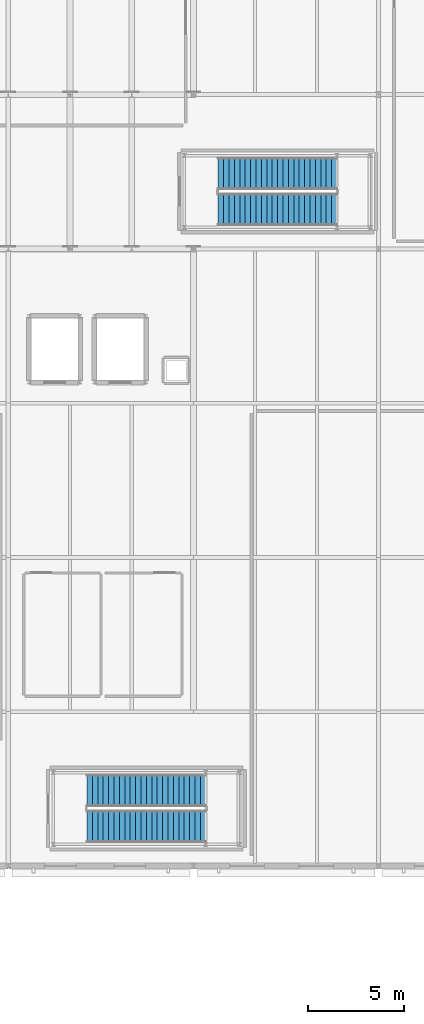
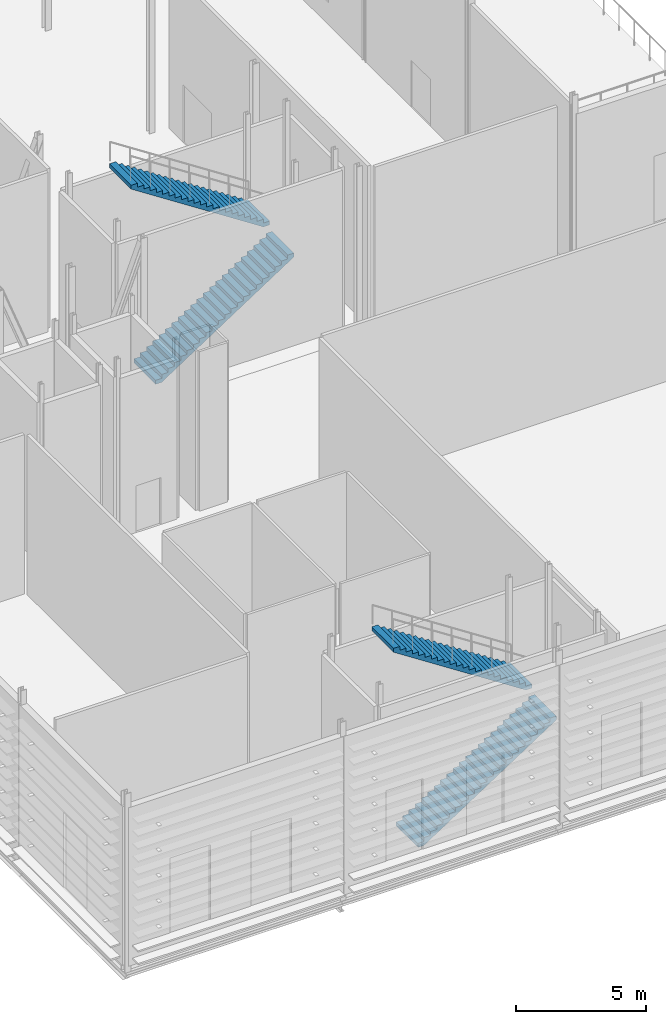
# One storey, part 69 of 73: 4 stair flights, 2 elements without a shape of their own.
"""IFC4 building model written with IfcOpenShell, lengths in metres."""

import ifcopenshell
import ifcopenshell.guid

model = None  # the IFC model being written
_history = None  # IfcOwnerHistory: only IFC2X3 demands one
_inside = {}  # id of a spatial element -> (the spatial element, [elements in it])
_under = {}  # id of a project, library or spatial element -> (it, [spatial elements below it])
_declared = {}  # id of a project -> (the project, [libraries it declares])
_typed = {}  # id of a type object -> (the type object, [elements of that type])
_made_of = {}  # id of a material, layer set ... -> (it, [elements and type objects made of it])


def new_model(schema):
    """Start an empty IFC model of exactly this schema.

    Asked for "IFC4X3", IfcOpenShell would pick the latest addendum, in which some entities
    have other attributes; the version numbers below select the first issue.
    IFC2X3 requires an IfcOwnerHistory on every rooted entity: one is made here for all.
    """
    global model, _history
    if schema == "IFC4X3":
        model = ifcopenshell.file(schema_version=(4, 3, 0, 0))
    else:
        model = ifcopenshell.file(schema=schema)
    _inside.clear()
    _under.clear()
    _declared.clear()
    _typed.clear()
    _made_of.clear()
    _history = None
    if model.schema == "IFC2X3":
        org = make("IfcOrganization", Name="unknown")
        user = make(
            "IfcPersonAndOrganization",
            ThePerson=make("IfcPerson", FamilyName="unknown"),
            TheOrganization=org,
        )
        app = make(
            "IfcApplication",
            ApplicationDeveloper=org,
            Version="unknown",
            ApplicationFullName="unknown",
            ApplicationIdentifier="unknown",
        )
        _history = make(
            "IfcOwnerHistory",
            OwningUser=user,
            OwningApplication=app,
            ChangeAction="ADDED",
            CreationDate=0,
        )
    return model


def make(cls, **values):
    """One entity of the class cls with the attributes given. An attribute that is None is left unset."""
    return model.create_entity(
        cls, **{name: value for name, value in values.items() if value is not None}
    )


def rooted(cls, **values):
    """An entity with a GlobalId (a new one), such as an element, a storey or a relation."""
    return make(cls, GlobalId=ifcopenshell.guid.new(), OwnerHistory=_history, **values)


def si_unit(unit_type, name, prefix=None):
    """IfcSIUnit, for example si_unit("LENGTHUNIT", "METRE", prefix="MILLI")."""
    return make("IfcSIUnit", UnitType=unit_type, Prefix=prefix, Name=name)


def assignment(units):
    """IfcUnitAssignment: the units of a project."""
    return None if units is None else make("IfcUnitAssignment", Units=units)


def point(xyz):
    """IfcCartesianPoint."""
    return None if xyz is None else make("IfcCartesianPoint", Coordinates=xyz)


def direction(xyz):
    """IfcDirection."""
    return None if xyz is None else make("IfcDirection", DirectionRatios=xyz)


def frame(location, z_axis=None, x_axis=None):
    """IfcAxis2Placement3D, a coordinate frame: its origin and axes. An axis left out is left unset."""
    return make(
        "IfcAxis2Placement3D",
        Location=point(location),
        Axis=direction(z_axis),
        RefDirection=direction(x_axis),
    )


def origin():
    """The frame at (0, 0, 0) with its axes left unset."""
    return frame((0.0, 0.0, 0.0))


def place(relative_to, where):
    """IfcLocalPlacement: puts the frame where relative to a parent placement (None: the world)."""
    return make(
        "IfcLocalPlacement", PlacementRelTo=relative_to, RelativePlacement=where
    )


def context(
    kind, dimensions, precision=None, world=None, true_north=None, identifier=None
):
    """IfcGeometricRepresentationContext, for example the 3D "Model" context."""
    return make(
        "IfcGeometricRepresentationContext",
        ContextIdentifier=identifier,
        ContextType=kind,
        CoordinateSpaceDimension=dimensions,
        Precision=precision,
        WorldCoordinateSystem=world,
        TrueNorth=true_north,
    )


def subcontext(parent, identifier, kind, view, scale=None):
    """IfcGeometricRepresentationSubContext, for example "Body" below "Model"."""
    return make(
        "IfcGeometricRepresentationSubContext",
        ContextIdentifier=identifier,
        ContextType=kind,
        ParentContext=parent,
        TargetScale=scale,
        TargetView=view,
    )


def project(units=None, contexts=None):
    """IfcProject with its units and contexts."""
    return rooted(
        "IfcProject",
        Name="project",
        RepresentationContexts=contexts,
        UnitsInContext=assignment(units),
    )


def spatial(cls, under=None, at=None, **own):
    """A site, building, storey or space (cls), placed at a placement, below another one or the project."""
    s = rooted(cls, ObjectPlacement=at, **own)
    if under is not None:
        _under.setdefault(under.id(), (under, []))[1].append(s)
    return s


def polyline(points):
    """IfcPolyline through the points."""
    return make("IfcPolyline", Points=[point(p) for p in points])


def outline(outer, holes=None, kind="AREA"):
    """IfcArbitraryClosedProfileDef: a profile drawn as a closed curve; with holes, ...WithVoids."""
    if holes is None:
        return make("IfcArbitraryClosedProfileDef", ProfileType=kind, OuterCurve=outer)
    return make(
        "IfcArbitraryProfileDefWithVoids",
        ProfileType=kind,
        OuterCurve=outer,
        InnerCurves=holes,
    )


def extrude(swept, where, along, depth):
    """IfcExtrudedAreaSolid: the profile swept, set in the frame where, extruded along a direction by depth."""
    return make(
        "IfcExtrudedAreaSolid",
        SweptArea=swept,
        Position=where,
        ExtrudedDirection=direction(along),
        Depth=depth,
    )


def shape(context_of_items, identifier, shape_type, items):
    """IfcShapeRepresentation: the items that make up one representation, for example the "Body"."""
    return make(
        "IfcShapeRepresentation",
        ContextOfItems=context_of_items,
        RepresentationIdentifier=identifier,
        RepresentationType=shape_type,
        Items=items,
    )


def material(Name=None, Category=None):
    """IfcMaterial."""
    return make("IfcMaterial", Name=Name, Category=Category)


def made_of(thing, what):
    """Note that an element or type object is made of a material, layer set ...; save() writes the relation."""
    if what is not None:
        _made_of.setdefault(what.id(), (what, []))[1].append(thing)
    return thing


def type_object(cls, material=None, **own):
    """A type object (cls), such as IfcWallType, which elements share."""
    return made_of(rooted(cls, **own), material)


def element(
    cls,
    number,
    at=None,
    inside=None,
    cuts=None,
    type_object=None,
    material=None,
    context=None,
    identifier="Body",
    shape_type=None,
    held_by="IfcProductDefinitionShape",
    body=None,
    shapes=None,
    **own,
):
    """One element of the class cls, such as IfcWall. Its Tag is "e" and its number.

    at: its placement. inside: the storey or other place that contains it. cuts: it is an
    opening in that element (IfcRelVoidsElement). A single representation is given by context,
    identifier, shape_type and body (its items); several are given by shapes. held_by: the class
    of the entity that holds the representations. save() writes the other relations.
    """
    e = rooted(cls, Tag="e%d" % number, ObjectPlacement=at, **own)
    if body is not None:
        shapes = [shape(context, identifier, shape_type, body)]
    if shapes is not None:
        e.Representation = make(held_by, Representations=shapes)
    if inside is not None:
        _inside.setdefault(inside.id(), (inside, []))[1].append(e)
    if cuts is not None:
        rooted(
            "IfcRelVoidsElement", RelatingBuildingElement=cuts, RelatedOpeningElement=e
        )
    if type_object is not None:
        _typed.setdefault(type_object.id(), (type_object, []))[1].append(e)
    return made_of(e, material)


def aggregate(whole, parts):
    """IfcRelAggregates: a whole, such as a stair, and the parts it consists of."""
    return rooted("IfcRelAggregates", RelatingObject=whole, RelatedObjects=parts)


def save(model, path):
    """Write the relations noted so far, then the file.

    IfcRelAggregates (storeys below a building ...), IfcRelContainedInSpatialStructure (elements
    in a storey), IfcRelDefinesByType, IfcRelAssociatesMaterial and IfcRelDeclares: one each for
    every whole, place, type object, material and project.
    """
    for whole, parts in _under.values():
        aggregate(whole, parts)
    for where, things in _inside.values():
        rooted(
            "IfcRelContainedInSpatialStructure",
            RelatedElements=things,
            RelatingStructure=where,
        )
    for kind, things in _typed.values():
        rooted("IfcRelDefinesByType", RelatedObjects=things, RelatingType=kind)
    for what, things in _made_of.values():
        rooted("IfcRelAssociatesMaterial", RelatedObjects=things, RelatingMaterial=what)
    for by, libraries in _declared.values():
        rooted("IfcRelDeclares", RelatingContext=by, RelatedDefinitions=libraries)
    model.write(path)


model = new_model("IFC4")

# Units and contexts
model_context = context("Model", 3, precision=1e-05, world=origin(), true_north=direction((0.0, 1.0)))
body_context = subcontext(model_context, "Body", "Model", "MODEL_VIEW")
ifc_project = project(units=[si_unit("LENGTHUNIT", "METRE"), si_unit("AREAUNIT", "SQUARE_METRE"), si_unit("VOLUMEUNIT", "CUBIC_METRE"), si_unit("PLANEANGLEUNIT", "RADIAN"), si_unit("MASSUNIT", "GRAM", prefix="KILO")], contexts=[model_context])

# Site, building, storey
site_placement = place(None, origin())
site = spatial("IfcSite", under=ifc_project, at=site_placement, CompositionType="ELEMENT")
building_placement = place(site_placement, origin())
building = spatial("IfcBuilding", under=site, at=building_placement, Name="Alderhovde Museum", CompositionType="ELEMENT")
storey_placement = place(building_placement, frame((0.0, 0.0, 17.39990234375)))
storey = spatial("IfcBuildingStorey", under=building, at=storey_placement, Name="L04", CompositionType="ELEMENT", Elevation=17.39990234375)

# Stair, stair flights
ifc_material_1 = material(Name="Concrete C35/45", Category="concrete")
stair_type = type_object("IfcStairType", Name="STR-1500-8400", PredefinedType="HALF_TURN_STAIR", material=ifc_material_1)
stair_1_placement = place(storey_placement, origin())
stair_1 = element("IfcStair", 1, at=stair_1_placement, inside=storey, type_object=stair_type, Name="L04 Escape Stair ST1", PredefinedType="HALF_TURN_STAIR")
ifc_material_2 = material(Name="Concrete C35/45", Category="concrete")
stair_flight_type = type_object("IfcStairFlightType", Name="STF-1500-8400", PredefinedType="STRAIGHT", material=ifc_material_2)
stair_flight_1_placement = place(storey_placement, frame((23.280029296875, 50.0400390625, 0.0), z_axis=(0.0, 0.0, 1.0), x_axis=(1.0, 0.0, 0.0)))
stair_flight_1 = element("IfcStairFlight", 2, at=stair_flight_1_placement, type_object=stair_flight_type, Name="ST1 flight 1", NumberOfRisers=23, NumberOfTreads=22, PredefinedType="STRAIGHT", RiserHeight=0.182608696, TreadLength=0.28, context=body_context, shape_type="SweptSolid", body=[
    extrude(outline(polyline([(0.0, 0.0), (0.0, 0.1826171875), (0.280029296875, 0.1826171875), (0.280029296875, 0.365234375), (0.56005859375, 0.365234375), (0.56005859375, 0.5478515625), (0.840087890625, 0.5478515625), (0.840087890625, 0.73046875), (1.1201171875, 0.73046875), (1.1201171875, 0.9130859375), (1.39990234375, 0.9130859375), (1.39990234375, 1.095703125), (1.679931640625, 1.095703125), (1.679931640625, 1.2783203125), (1.9599609375, 1.2783203125), (1.9599609375, 1.4609375), (2.239990234375, 1.4609375), (2.239990234375, 1.6435546875), (2.52001953125, 1.6435546875), (2.52001953125, 1.826171875), (2.800048828125, 1.826171875), (2.800048828125, 2.0087890625), (3.080078125, 2.0087890625), (3.080078125, 2.19140625), (3.360107421875, 2.19140625), (3.360107421875, 2.3740234375), (3.639892578125, 2.3740234375), (3.639892578125, 2.556640625), (3.919921875, 2.556640625), (3.919921875, 2.739013671875), (4.199951171875, 2.739013671875), (4.199951171875, 2.921630859375), (4.47998046875, 2.921630859375), (4.47998046875, 3.104248046875), (4.760009765625, 3.104248046875), (4.760009765625, 3.286865234375), (5.0400390625, 3.286865234375), (5.0400390625, 3.469482421875), (5.320068359375, 3.469482421875), (5.320068359375, 3.652099609375), (5.60009765625, 3.652099609375), (5.60009765625, 3.834716796875), (5.8798828125, 3.834716796875), (5.8798828125, 4.017333984375), (6.159912109375, 4.017333984375), (6.159912109375, 4.199951171875), (6.159912109375, 3.83837890625), (0.2744140625, 0.0), (0.0, 0.0)])), frame((0.0, 0.83984375, 0.0), z_axis=(0.0, -1.0, 0.0), x_axis=(1.0, 0.0, 0.0)), (0.0, 0.0, 1.0), 1.679931640625),
])
stair_flight_2_placement = place(storey_placement, frame((29.43994140625, 51.919921875, 4.2001953125), z_axis=(0.0, 0.0, 1.0), x_axis=(-1.0, 0.0, 0.0)))
stair_flight_2 = element("IfcStairFlight", 3, at=stair_flight_2_placement, type_object=stair_flight_type, Name="ST1 flight 2", NumberOfRisers=23, NumberOfTreads=22, PredefinedType="STRAIGHT", RiserHeight=0.182608696, TreadLength=0.28, context=body_context, shape_type="SweptSolid", body=[
    extrude(outline(polyline([(0.0, 0.0), (0.0, 0.1826171875), (0.280029296875, 0.1826171875), (0.280029296875, 0.365234375), (0.56005859375, 0.365234375), (0.56005859375, 0.5478515625), (0.840087890625, 0.5478515625), (0.840087890625, 0.73046875), (1.1201171875, 0.73046875), (1.1201171875, 0.9130859375), (1.39990234375, 0.9130859375), (1.39990234375, 1.095703125), (1.679931640625, 1.095703125), (1.679931640625, 1.2783203125), (1.9599609375, 1.2783203125), (1.9599609375, 1.4609375), (2.239990234375, 1.4609375), (2.239990234375, 1.6435546875), (2.52001953125, 1.6435546875), (2.52001953125, 1.826171875), (2.800048828125, 1.826171875), (2.800048828125, 2.0087890625), (3.080078125, 2.0087890625), (3.080078125, 2.19140625), (3.360107421875, 2.19140625), (3.360107421875, 2.3740234375), (3.639892578125, 2.3740234375), (3.639892578125, 2.556640625), (3.919921875, 2.556640625), (3.919921875, 2.739013671875), (4.199951171875, 2.739013671875), (4.199951171875, 2.921630859375), (4.47998046875, 2.921630859375), (4.47998046875, 3.104248046875), (4.760009765625, 3.104248046875), (4.760009765625, 3.286865234375), (5.0400390625, 3.286865234375), (5.0400390625, 3.469482421875), (5.320068359375, 3.469482421875), (5.320068359375, 3.652099609375), (5.60009765625, 3.652099609375), (5.60009765625, 3.834716796875), (5.8798828125, 3.834716796875), (5.8798828125, 4.017333984375), (6.159912109375, 4.017333984375), (6.159912109375, 4.199951171875), (6.159912109375, 3.83837890625), (0.2744140625, 0.0), (0.0, 0.0)])), frame((0.0, 0.83984375, 0.0), z_axis=(0.0, -1.0, 0.0), x_axis=(1.0, 0.0, 0.0)), (0.0, 0.0, 1.0), 1.679931640625),
])
aggregate(stair_1, [stair_flight_1, stair_flight_2])

stair_2_placement = place(storey_placement, origin())
stair_2 = element("IfcStair", 4, at=stair_2_placement, inside=storey, type_object=stair_type, Name="L04 Escape Stair ST2", PredefinedType="HALF_TURN_STAIR")
stair_flight_3_placement = place(storey_placement, frame((30.080078125, 82.0400390625, 0.0), z_axis=(0.0, 0.0, 1.0), x_axis=(1.0, 0.0, 0.0)))
stair_flight_3 = element("IfcStairFlight", 5, at=stair_flight_3_placement, type_object=stair_flight_type, Name="ST2 flight 1", NumberOfRisers=23, NumberOfTreads=22, PredefinedType="STRAIGHT", RiserHeight=0.182608696, TreadLength=0.28, context=body_context, shape_type="SweptSolid", body=[
    extrude(outline(polyline([(0.0, 0.0), (0.0, 0.1826171875), (0.280029296875, 0.1826171875), (0.280029296875, 0.365234375), (0.56005859375, 0.365234375), (0.56005859375, 0.5478515625), (0.840087890625, 0.5478515625), (0.840087890625, 0.73046875), (1.1201171875, 0.73046875), (1.1201171875, 0.9130859375), (1.39990234375, 0.9130859375), (1.39990234375, 1.095703125), (1.679931640625, 1.095703125), (1.679931640625, 1.2783203125), (1.9599609375, 1.2783203125), (1.9599609375, 1.4609375), (2.239990234375, 1.4609375), (2.239990234375, 1.6435546875), (2.52001953125, 1.6435546875), (2.52001953125, 1.826171875), (2.800048828125, 1.826171875), (2.800048828125, 2.0087890625), (3.080078125, 2.0087890625), (3.080078125, 2.19140625), (3.360107421875, 2.19140625), (3.360107421875, 2.3740234375), (3.639892578125, 2.3740234375), (3.639892578125, 2.556640625), (3.919921875, 2.556640625), (3.919921875, 2.739013671875), (4.199951171875, 2.739013671875), (4.199951171875, 2.921630859375), (4.47998046875, 2.921630859375), (4.47998046875, 3.104248046875), (4.760009765625, 3.104248046875), (4.760009765625, 3.286865234375), (5.0400390625, 3.286865234375), (5.0400390625, 3.469482421875), (5.320068359375, 3.469482421875), (5.320068359375, 3.652099609375), (5.60009765625, 3.652099609375), (5.60009765625, 3.834716796875), (5.8798828125, 3.834716796875), (5.8798828125, 4.017333984375), (6.159912109375, 4.017333984375), (6.159912109375, 4.199951171875), (6.159912109375, 3.83837890625), (0.2744140625, 0.0), (0.0, 0.0)])), frame((0.0, 0.83984375, 0.0), z_axis=(0.0, -1.0, 0.0), x_axis=(1.0, 0.0, 0.0)), (0.0, 0.0, 1.0), 1.679931640625),
])
stair_flight_4_placement = place(storey_placement, frame((36.239990234375, 83.919921875, 4.2001953125), z_axis=(0.0, 0.0, 1.0), x_axis=(-1.0, 0.0, 0.0)))
stair_flight_4 = element("IfcStairFlight", 6, at=stair_flight_4_placement, type_object=stair_flight_type, Name="ST2 flight 2", NumberOfRisers=23, NumberOfTreads=22, PredefinedType="STRAIGHT", RiserHeight=0.182608696, TreadLength=0.28, context=body_context, shape_type="SweptSolid", body=[
    extrude(outline(polyline([(0.0, 0.0), (0.0, 0.1826171875), (0.280029296875, 0.1826171875), (0.280029296875, 0.365234375), (0.56005859375, 0.365234375), (0.56005859375, 0.5478515625), (0.840087890625, 0.5478515625), (0.840087890625, 0.73046875), (1.1201171875, 0.73046875), (1.1201171875, 0.9130859375), (1.39990234375, 0.9130859375), (1.39990234375, 1.095703125), (1.679931640625, 1.095703125), (1.679931640625, 1.2783203125), (1.9599609375, 1.2783203125), (1.9599609375, 1.4609375), (2.239990234375, 1.4609375), (2.239990234375, 1.6435546875), (2.52001953125, 1.6435546875), (2.52001953125, 1.826171875), (2.800048828125, 1.826171875), (2.800048828125, 2.0087890625), (3.080078125, 2.0087890625), (3.080078125, 2.19140625), (3.360107421875, 2.19140625), (3.360107421875, 2.3740234375), (3.639892578125, 2.3740234375), (3.639892578125, 2.556640625), (3.919921875, 2.556640625), (3.919921875, 2.739013671875), (4.199951171875, 2.739013671875), (4.199951171875, 2.921630859375), (4.47998046875, 2.921630859375), (4.47998046875, 3.104248046875), (4.760009765625, 3.104248046875), (4.760009765625, 3.286865234375), (5.0400390625, 3.286865234375), (5.0400390625, 3.469482421875), (5.320068359375, 3.469482421875), (5.320068359375, 3.652099609375), (5.60009765625, 3.652099609375), (5.60009765625, 3.834716796875), (5.8798828125, 3.834716796875), (5.8798828125, 4.017333984375), (6.159912109375, 4.017333984375), (6.159912109375, 4.199951171875), (6.159912109375, 3.83837890625), (0.2744140625, 0.0), (0.0, 0.0)])), frame((0.0, 0.83984375, 0.0), z_axis=(0.0, -1.0, 0.0), x_axis=(1.0, 0.0, 0.0)), (0.0, 0.0, 1.0), 1.679931640625),
])
aggregate(stair_2, [stair_flight_3, stair_flight_4])

save(model, "model.ifc")
